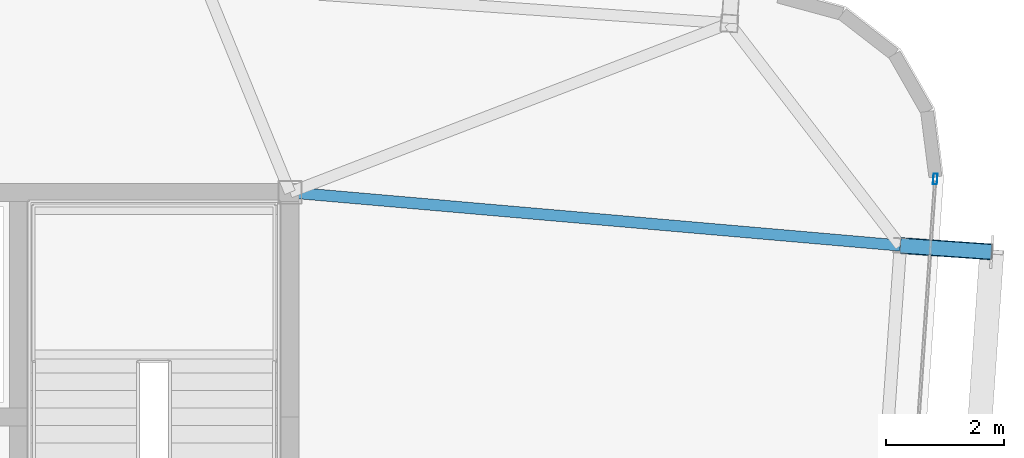
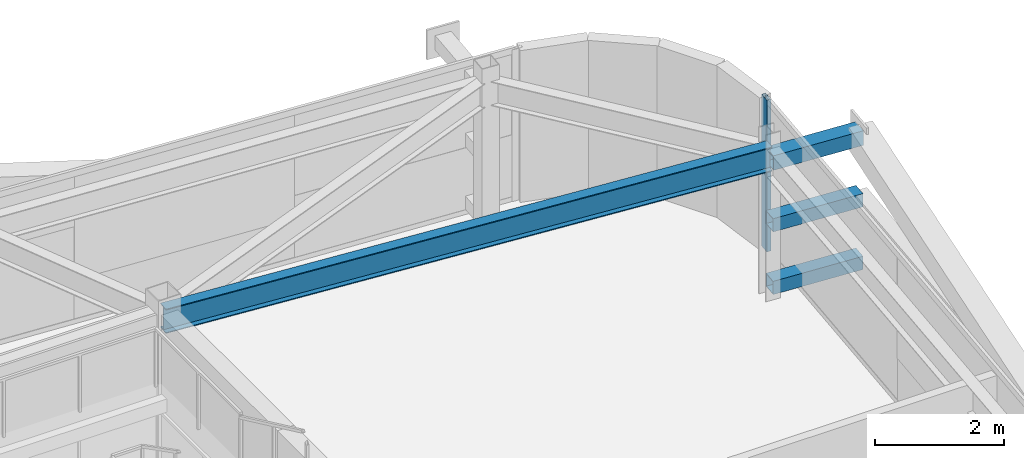
# One storey, part 18 of 39: 4 members, 1 beam, 1 element without a shape of its own.
"""IFC4 building model written with IfcOpenShell, lengths in metres."""

from ifc_helpers import new_model, si_unit, direction, frame, origin, origin_2d, place, context, subcontext, project, spatial, hollow_rectangle, i_section, extrude, source, transform, mapped, material, layer, layer_set, material_profile, profile_set, type_object, element, aggregate, save


model = new_model("IFC4")

# Units and contexts
model_context = context("Model", 3, precision=1e-05, world=origin(), true_north=direction((0.0, 1.0)))
body_context = subcontext(model_context, "Body", "Model", "MODEL_VIEW")
ifc_project = project(units=[si_unit("LENGTHUNIT", "METRE"), si_unit("AREAUNIT", "SQUARE_METRE"), si_unit("VOLUMEUNIT", "CUBIC_METRE"), si_unit("PLANEANGLEUNIT", "RADIAN"), si_unit("MASSUNIT", "GRAM", prefix="KILO")], contexts=[model_context])

# Site, building, storey
site_placement = place(None, origin())
site = spatial("IfcSite", under=ifc_project, at=site_placement, CompositionType="ELEMENT")
building_placement = place(site_placement, origin())
building = spatial("IfcBuilding", under=site, at=building_placement, Name="Taldren Reach Tower", CompositionType="ELEMENT")
storey_placement = place(building_placement, frame((0.0, 0.0, 161.35009765625)))
storey = spatial("IfcBuildingStorey", under=building, at=storey_placement, Name="L49", CompositionType="ELEMENT", Elevation=161.35009765625)

# Members
ifc_material_1 = material(Name="Steel Gr 450 (C450L0)", Category="steel")
ifc_material_profile_1 = material_profile(ifc_material_1, hollow_rectangle(XDim=0.27490234375, YDim=0.27490234375, WallThickness=0.00927734375, at=origin_2d()), Name="275x275x9.3SHS")
ifc_profile_set_1 = profile_set([ifc_material_profile_1], Name="Steel Gr 450 (C450L0)")
member_type_1 = type_object("IfcMemberType", Name="MB-TIE273", PredefinedType="STRUT", material=ifc_profile_set_1)
shared_shape_1 = source(origin(), body_context, "Body", "SweptSolid", [
    extrude(hollow_rectangle(XDim=0.27490234375, YDim=0.27490234375, WallThickness=0.00927734375, at=origin_2d()), origin(), (0.0, 0.0, 1.0), 1.550048828125),
])
member_1_placement = place(storey_placement, frame((61.3310546875, 31.1005859375, 2.58984375), z_axis=(0.99756313426, -0.06976957191, 0.0), x_axis=(0.06976957191, 0.99756313426, 0.0)))
element("IfcMember", 1, at=member_1_placement, inside=storey, type_object=member_type_1, Name="Exoskeleton diaphragm tie strut B3-E3 L49", PredefinedType="STRUT", context=body_context, shape_type="MappedRepresentation", body=[
    mapped(shared_shape_1, transform((0.0, 0.0, 0.0), scale=1.0)),
])
ifc_material_2 = material(Name="Steel Gr 350 (C350L0)", Category="steel")
ifc_material_profile_2 = material_profile(ifc_material_2, hollow_rectangle(XDim=0.25, YDim=0.25, WallThickness=0.010009765625, at=origin_2d()), Name="250x250x10.0SHS")
ifc_profile_set_2 = profile_set([ifc_material_profile_2], Name="Steel Gr 350 (C350L0)")
member_type_2 = type_object("IfcMemberType", Name="MB-POST250", PredefinedType="POST", material=ifc_profile_set_2)
shared_shape_2 = source(origin(), body_context, "Body", "SweptSolid", [
    extrude(hollow_rectangle(XDim=0.25, YDim=0.25, WallThickness=0.010009765625, at=origin_2d()), origin(), (0.0, 0.0, 1.0), 1.550048828125),
])
for number, where, z_axis, x_axis, name in (
    (2, (61.3310546875, 31.1005859375, 0.219970703125), (0.99756313426, -0.06976957191, 0.0), (0.06976957191, 0.99756313426, 0.0), "Exoskeleton base diaphragm tie strut B3-E3 L49"),
    (3, (61.3310546875, 31.1005859375, 1.40478515625), (0.99756313426, -0.06976957191, 0.0), (0.06976957191, 0.99756313426, 0.0), "Exoskeleton mid-tier diaphragm tie B3-E3 L49"),
):
    element("IfcMember", number, at=place(storey_placement, frame(where, z_axis=z_axis, x_axis=x_axis)), inside=storey, type_object=member_type_2, Name=name, PredefinedType="POST", context=body_context, shape_type="MappedRepresentation", body=[
        mapped(shared_shape_2, transform((0.0, 0.0, 0.0), scale=1.0)),
    ])

# Beam
ifc_material_3 = material(Name="Steel Gr 350 (350PLUS)", Category="steel")
ifc_material_profile_3 = material_profile(ifc_material_3, i_section(OverallWidth=0.19091796875, OverallDepth=0.4599609375, WebThickness=0.010009765625, FlangeThickness=0.01611328125, at=origin_2d()), Name="460UB82.1")
ifc_profile_set_3 = profile_set([ifc_material_profile_3], Name="Steel Gr 350 (350PLUS)")
beam_type = type_object("IfcBeamType", Name="BM-UB460A", PredefinedType="BEAM", material=ifc_profile_set_3)
shared_shape_3 = source(origin(), body_context, "Body", "SweptSolid", [
    extrude(i_section(OverallWidth=0.19091796875, OverallDepth=0.4599609375, WebThickness=0.010009765625, FlangeThickness=0.01611328125, at=origin_2d()), origin(), (0.0, 0.0, 1.0), 10.3701171875),
])
beam_placement = place(storey_placement, frame((51.0, 32.0, 2.639892578125), z_axis=(0.996231748992, -0.086731207186, 0.0), x_axis=(0.086731207186, 0.996231748992, 0.0)))
element("IfcBeam", 4, at=beam_placement, inside=storey, type_object=beam_type, Name="Primary floor girder B3-E3 L49", PredefinedType="BEAM", context=body_context, shape_type="MappedRepresentation", body=[
    mapped(shared_shape_3, transform((0.0, 0.0, 0.0), scale=1.0)),
])

# Curtain wall, member
ifc_material_4 = material(Name="Aluminium and Low-E Glass Unitised System", Category="aluminium")
ifc_layer = layer(ifc_material_4, 0.159912109375)
ifc_layer_set = layer_set([ifc_layer], Name="Aluminium and Low-E Glass Unitised System")
curtain_wall_type = type_object("IfcCurtainWallType", Name="CW-SYS-4", PredefinedType="NOTDEFINED", material=ifc_layer_set)
curtain_wall_placement = place(storey_placement, origin())
curtain_wall = element("IfcCurtainWall", 5, at=curtain_wall_placement, inside=storey, type_object=curtain_wall_type, Name="Unitised curtain wall CW-L49-E", PredefinedType="NOTDEFINED")
ifc_material_5 = material(Name="Anodised Aluminium 6063-T6", Category="aluminium")
ifc_material_profile_4 = material_profile(ifc_material_5, hollow_rectangle(XDim=0.070068359375, YDim=0.179931640625, WallThickness=0.00390625, at=origin_2d()), Name="ALU-180x70x4RHS")
ifc_profile_set_4 = profile_set([ifc_material_profile_4], Name="Anodised Aluminium 6063-T6")
member_type_3 = type_object("IfcMemberType", Name="CW-MUL-180", PredefinedType="MULLION", material=ifc_profile_set_4)
shared_shape_4 = source(origin(), body_context, "Body", "SweptSolid", [
    extrude(hollow_rectangle(XDim=0.070068359375, YDim=0.179931640625, WallThickness=0.00390625, at=origin_2d()), origin(), (0.0, 0.0, 1.0), 2.869873046875),
])
member_2_placement = place(storey_placement, frame((61.921142578125, 32.22705078125, 0.0), z_axis=(0.0, 0.0, 1.0), x_axis=(-0.997564052812, 0.069756437251, 0.0)))
member_2 = element("IfcMember", 6, at=member_2_placement, type_object=member_type_3, Name="CW-4 mullion 3", PredefinedType="MULLION", context=body_context, shape_type="MappedRepresentation", body=[
    mapped(shared_shape_4, transform((0.0, 0.0, 0.0), scale=1.0)),
])
aggregate(curtain_wall, [member_2])

save(model, "model.ifc")
